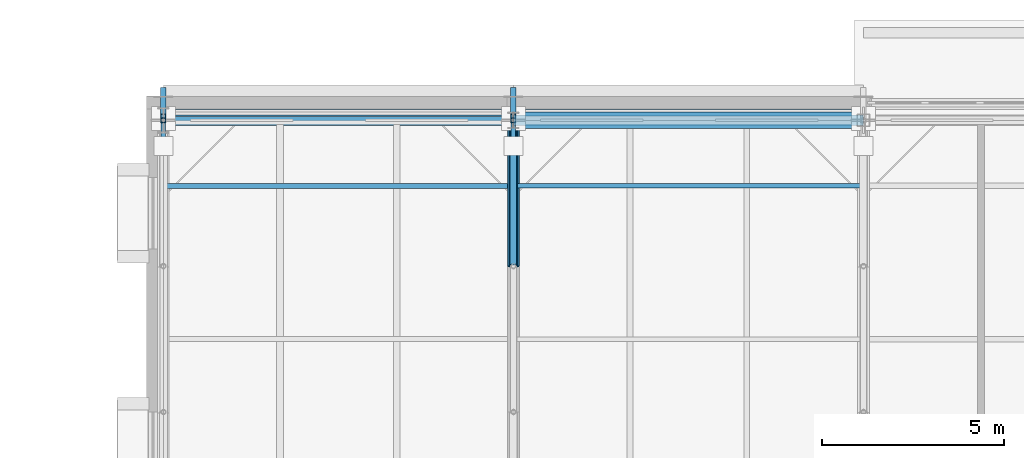
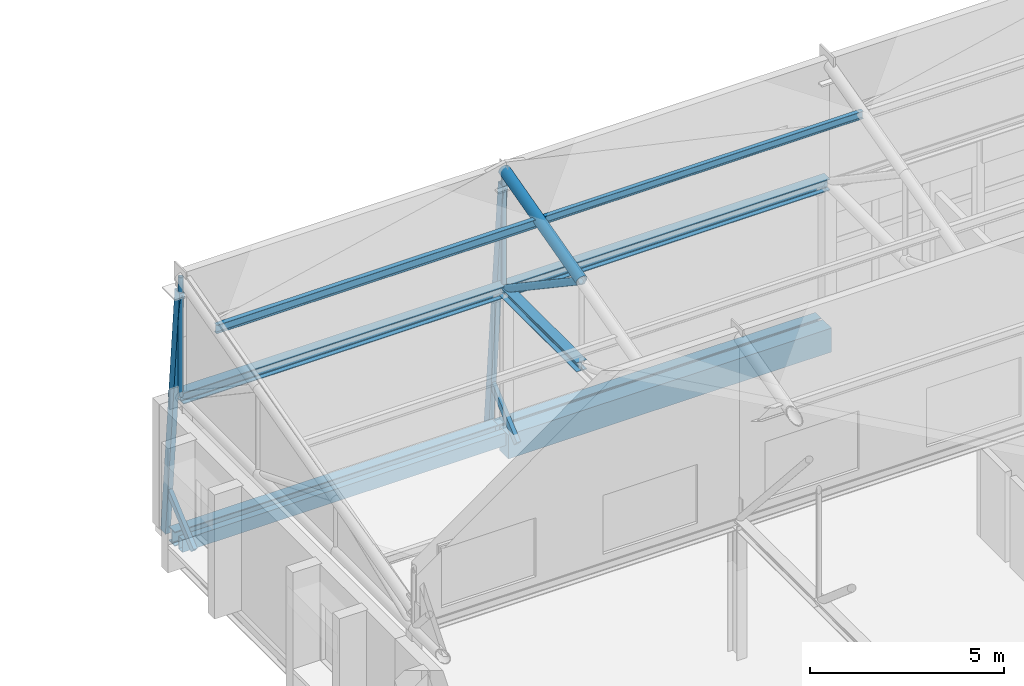
# One storey, part 35 of 89: 11 members, 6 beams.
"""IFC4 building model written with IfcOpenShell, lengths in metres."""

from ifc_helpers import new_model, si_unit, direction, frame, origin, origin_2d, place, context, subcontext, project, spatial, rectangle, hollow_rectangle, hollow_circle, i_section, extrude, material, material_profile, profile_set, type_object, element, save


model = new_model("IFC4")

# Units and contexts
model_context = context("Model", 3, precision=1e-05, world=origin(), true_north=direction((0.0, 1.0)))
body_context = subcontext(model_context, "Body", "Model", "MODEL_VIEW")
ifc_project = project(units=[si_unit("LENGTHUNIT", "METRE"), si_unit("AREAUNIT", "SQUARE_METRE"), si_unit("VOLUMEUNIT", "CUBIC_METRE"), si_unit("PLANEANGLEUNIT", "RADIAN"), si_unit("MASSUNIT", "GRAM", prefix="KILO")], contexts=[model_context])

# Site, building, storey
site_placement = place(None, origin())
site = spatial("IfcSite", under=ifc_project, at=site_placement, CompositionType="ELEMENT")
building_placement = place(site_placement, origin())
building = spatial("IfcBuilding", under=site, at=building_placement, Name="Zereglee Splitstone Museum", CompositionType="ELEMENT")
storey_placement = place(building_placement, frame((0.0, 0.0, 21.300048828125)))
storey = spatial("IfcBuildingStorey", under=building, at=storey_placement, Name="L04", CompositionType="ELEMENT", Elevation=21.300048828125)

# Members
ifc_material_1 = material(Name="Steel S355J2H", Category="steel")
ifc_material_profile_1 = material_profile(ifc_material_1, hollow_circle(Radius=0.109619140625, WallThickness=0.010009765625, at=origin_2d()), Name="CHS 219.1x10")
ifc_profile_set_1 = profile_set([ifc_material_profile_1], Name="Steel S355J2H")
member_type_1 = type_object("IfcMemberType", Name="TB-03", PredefinedType="BRACE", material=ifc_profile_set_1)
member_1_placement = place(storey_placement, frame((87.60009765625, 50.39990234375, 4.199951171875), z_axis=(0.0, -0.830448263685, 0.557095755991), x_axis=(1.0, 0.0, 0.0)))
element("IfcMember", 1, at=member_1_placement, inside=storey, type_object=member_type_1, Name="Roof Truss ST-02 Diagonal 3.3", PredefinedType="BRACE", context=body_context, shape_type="SweptSolid", body=[
    extrude(hollow_circle(Radius=0.109619140625, WallThickness=0.010009765625, at=origin_2d()), origin(), (0.0, 0.0, 1.0), 4.816650390625),
])
ifc_material_profile_2 = material_profile(ifc_material_1, hollow_circle(Radius=0.161865234375, WallThickness=0.01611328125, at=origin_2d()), Name="CHS 323.9x16")
ifc_profile_set_2 = profile_set([ifc_material_profile_2], Name="Steel S355J2H")
member_type_2 = type_object("IfcMemberType", Name="TC-05", PredefinedType="CHORD", material=ifc_profile_set_2)
member_2_placement = place(storey_placement, frame((87.60009765625, 46.39990234375, 6.88330078125), z_axis=(0.0, 0.966235918422, 0.257658979955), x_axis=(-1.0, 0.0, 0.0)))
element("IfcMember", 2, at=member_2_placement, inside=storey, type_object=member_type_2, Name="Roof Truss ST-02 Top Chord 3.3", PredefinedType="CHORD", context=body_context, shape_type="SweptSolid", body=[
    extrude(hollow_circle(Radius=0.161865234375, WallThickness=0.01611328125, at=origin_2d()), origin(), (0.0, 0.0, 1.0), 4.139892578125),
])
ifc_material_2 = material(Name="Steel S355J2", Category="steel")
ifc_material_profile_3 = material_profile(ifc_material_2, i_section(OverallWidth=0.300048828125, OverallDepth=0.300048828125, WebThickness=0.010986328125, FlangeThickness=0.01904296875, FilletRadius=0.027099609375, at=origin_2d()), Name="HE 300 B")
ifc_profile_set_3 = profile_set([ifc_material_profile_3], Name="Steel S355J2")
member_type_3 = type_object("IfcMemberType", Name="TC-07", PredefinedType="CHORD", material=ifc_profile_set_3)
member_3_placement = place(storey_placement, frame((87.60009765625, 46.39990234375, 4.199951171875), z_axis=(0.0, 1.0, 0.0), x_axis=(-1.0, 0.0, 0.0)))
element("IfcMember", 3, at=member_3_placement, inside=storey, type_object=member_type_3, Name="Roof Truss ST-02 Bottom Chord 3.3", PredefinedType="CHORD", context=body_context, shape_type="SweptSolid", body=[
    extrude(i_section(OverallWidth=0.300048828125, OverallDepth=0.300048828125, WebThickness=0.010986328125, FlangeThickness=0.01904296875, FilletRadius=0.027099609375, at=origin_2d()), origin(), (0.0, 0.0, 1.0), 4.0),
])

# Beams
ifc_material_profile_4 = material_profile(ifc_material_2, i_section(OverallWidth=0.300048828125, OverallDepth=0.360107421875, WebThickness=0.012451171875, FlangeThickness=0.0224609375, FilletRadius=0.027099609375, at=origin_2d()), Name="HE 360 B")
ifc_profile_set_4 = profile_set([ifc_material_profile_4], Name="Steel S355J2")
beam_type_1 = type_object("IfcBeamType", Name="BG-14", PredefinedType="BEAM", material=ifc_profile_set_4)
beam_1_placement = place(storey_placement, frame((78.0, 50.39990234375, 4.199951171875), z_axis=(1.0, 0.0, 0.0), x_axis=(0.0, 1.0, 0.0)))
element("IfcBeam", 4, at=beam_1_placement, inside=storey, type_object=beam_type_1, Name="Sawtooth Monitor Sill Beam B1-S3", PredefinedType="BEAM", context=body_context, shape_type="SweptSolid", body=[
    extrude(i_section(OverallWidth=0.300048828125, OverallDepth=0.360107421875, WebThickness=0.012451171875, FlangeThickness=0.0224609375, FilletRadius=0.027099609375, at=origin_2d()), origin(), (0.0, 0.0, 1.0), 9.60009765625),
])
beam_2_placement = place(storey_placement, frame((87.60009765625, 50.39990234375, 4.199951171875), z_axis=(1.0, 0.0, 0.0), x_axis=(0.0, 1.0, 0.0)))
element("IfcBeam", 5, at=beam_2_placement, inside=storey, type_object=beam_type_1, Name="Sawtooth Monitor Sill Beam B2-S3", PredefinedType="BEAM", context=body_context, shape_type="SweptSolid", body=[
    extrude(i_section(OverallWidth=0.300048828125, OverallDepth=0.360107421875, WebThickness=0.012451171875, FlangeThickness=0.0224609375, FilletRadius=0.027099609375, at=origin_2d()), origin(), (0.0, 0.0, 1.0), 9.599853515625),
])

# Members
ifc_material_profile_5 = material_profile(ifc_material_1, hollow_circle(Radius=0.06982421875, WallThickness=0.008056640625, at=origin_2d()), Name="CHS 139.7x8")
ifc_profile_set_5 = profile_set([ifc_material_profile_5], Name="Steel S355J2H")
member_type_4 = type_object("IfcMemberType", Name="TP-03", PredefinedType="POST", material=ifc_profile_set_5)
for number, where, z_axis, x_axis, name in (
    (6, (78.0, 50.39990234375, 4.199951171875), (0.0, 0.0, 1.0), (1.0, 0.0, 0.0), "Roof Truss ST-01 Post 3.3"),
    (7, (87.60009765625, 50.39990234375, 4.199951171875), (0.0, 0.0, 1.0), (1.0, 0.0, 0.0), "Roof Truss ST-02 Post 3.3"),
):
    element("IfcMember", number, at=place(storey_placement, frame(where, z_axis=z_axis, x_axis=x_axis)), inside=storey, type_object=member_type_4, Name=name, PredefinedType="POST", context=body_context, shape_type="SweptSolid", body=[
        extrude(hollow_circle(Radius=0.06982421875, WallThickness=0.008056640625, at=origin_2d()), origin(), (0.0, 0.0, 1.0), 3.75),
    ])
ifc_material_profile_6 = material_profile(ifc_material_2, i_section(OverallWidth=0.1201171875, OverallDepth=0.239990234375, WebThickness=0.006103515625, FlangeThickness=0.009765625, FilletRadius=0.014892578125, at=origin_2d()), Name="IPE 240")
ifc_profile_set_6 = profile_set([ifc_material_profile_6], Name="Steel S355J2")
member_type_5 = type_object("IfcMemberType", Name="PR-03", PredefinedType="PURLIN", material=ifc_profile_set_6)
member_4_placement = place(storey_placement, frame((87.60009765625, 48.60009765625, 7.424072265625), z_axis=(1.0, 0.0, 0.0), x_axis=(0.0, 1.0, 0.0)))
element("IfcMember", 8, at=member_4_placement, inside=storey, type_object=member_type_5, Name="Sawtooth Roof Purlin B2-S3-3", PredefinedType="PURLIN", context=body_context, shape_type="SweptSolid", body=[
    extrude(i_section(OverallWidth=0.1201171875, OverallDepth=0.239990234375, WebThickness=0.006103515625, FlangeThickness=0.009765625, FilletRadius=0.014892578125, at=origin_2d()), origin(), (0.0, 0.0, 1.0), 9.599853515625),
])
ifc_material_profile_7 = material_profile(ifc_material_2, i_section(OverallWidth=0.135009765625, OverallDepth=0.27001953125, WebThickness=0.006591796875, FlangeThickness=0.01025390625, FilletRadius=0.014892578125, at=origin_2d()), Name="IPE 270")
ifc_profile_set_7 = profile_set([ifc_material_profile_7], Name="Steel S355J2")
member_type_6 = type_object("IfcMemberType", Name="PR-02", PredefinedType="PURLIN", material=ifc_profile_set_7)
member_5_placement = place(storey_placement, frame((78.0, 48.60009765625, 7.40869140625), z_axis=(1.0, 0.0, 0.0), x_axis=(0.0, 1.0, 0.0)))
element("IfcMember", 9, at=member_5_placement, inside=storey, type_object=member_type_6, Name="Sawtooth Roof Purlin B1-S3-3", PredefinedType="PURLIN", context=body_context, shape_type="SweptSolid", body=[
    extrude(i_section(OverallWidth=0.135009765625, OverallDepth=0.27001953125, WebThickness=0.006591796875, FlangeThickness=0.01025390625, FilletRadius=0.014892578125, at=origin_2d()), origin(), (0.0, 0.0, 1.0), 9.60009765625),
])

# Beams
ifc_material_profile_8 = material_profile(ifc_material_2, i_section(OverallWidth=0.300048828125, OverallDepth=0.449951171875, WebThickness=0.013916015625, FlangeThickness=0.02587890625, FilletRadius=0.027099609375, at=origin_2d()), Name="HE 450 B")
ifc_profile_set_8 = profile_set([ifc_material_profile_8], Name="Steel S355J2")
beam_type_2 = type_object("IfcBeamType", Name="SP-02", PredefinedType="SPANDREL", material=ifc_profile_set_8)
beam_3_placement = place(storey_placement, frame((78.0, 50.85009765625, -0.485107421875), z_axis=(1.0, 0.0, 0.0), x_axis=(0.0, 1.0, 0.0)))
element("IfcBeam", 10, at=beam_3_placement, inside=storey, type_object=beam_type_2, Name="Hovering Soffit Spandrel L04 (78.0-87.6)", PredefinedType="SPANDREL", context=body_context, shape_type="SweptSolid", body=[
    extrude(i_section(OverallWidth=0.300048828125, OverallDepth=0.449951171875, WebThickness=0.013916015625, FlangeThickness=0.02587890625, FilletRadius=0.027099609375, at=origin_2d()), origin(), (0.0, 0.0, 1.0), 9.60009765625),
])
beam_4_placement = place(storey_placement, frame((87.60009765625, 50.85009765625, -0.485107421875), z_axis=(1.0, 0.0, 0.0), x_axis=(0.0, 1.0, 0.0)))
element("IfcBeam", 11, at=beam_4_placement, inside=storey, type_object=beam_type_2, Name="Hovering Soffit Spandrel L04 (87.6-97.2)", PredefinedType="SPANDREL", context=body_context, shape_type="SweptSolid", body=[
    extrude(i_section(OverallWidth=0.300048828125, OverallDepth=0.449951171875, WebThickness=0.013916015625, FlangeThickness=0.02587890625, FilletRadius=0.027099609375, at=origin_2d()), origin(), (0.0, 0.0, 1.0), 9.599853515625),
])
ifc_material_3 = material(Name="Concrete C40/50", Category="concrete")
ifc_material_profile_9 = material_profile(ifc_material_3, rectangle(XDim=0.449951171875, YDim=0.75, at=origin_2d()), Name="RC 450x750")
ifc_profile_set_9 = profile_set([ifc_material_profile_9], Name="Concrete C40/50")
beam_type_3 = type_object("IfcBeamType", Name="SP-01", PredefinedType="SPANDREL", material=ifc_profile_set_9)
beam_5_placement = place(storey_placement, frame((87.60009765625, 50.39990234375, -0.635009765625), z_axis=(1.0, 0.0, 0.0), x_axis=(0.0, 1.0, 0.0)))
element("IfcBeam", 12, at=beam_5_placement, inside=storey, type_object=beam_type_3, Name="Primary Girder L04 F (87.6-97.2)", PredefinedType="SPANDREL", context=body_context, shape_type="SweptSolid", body=[
    extrude(rectangle(XDim=0.449951171875, YDim=0.75, at=origin_2d()), origin(), (0.0, 0.0, 1.0), 9.599853515625),
])
ifc_material_profile_10 = material_profile(ifc_material_1, hollow_rectangle(XDim=0.199951171875, YDim=0.39990234375, WallThickness=0.01611328125, at=origin_2d()), Name="RHS 400x200x16")
ifc_profile_set_10 = profile_set([ifc_material_profile_10], Name="Steel S355J2H")
beam_type_4 = type_object("IfcBeamType", Name="SP-04", PredefinedType="SPANDREL", material=ifc_profile_set_10)
beam_6_placement = place(storey_placement, frame((78.0, 50.39990234375, -0.4599609375), z_axis=(1.0, 0.0, 0.0), x_axis=(0.0, 1.0, 0.0)))
element("IfcBeam", 13, at=beam_6_placement, inside=storey, type_object=beam_type_4, Name="Primary Girder L04 F (78.0-87.6)", PredefinedType="SPANDREL", context=body_context, shape_type="SweptSolid", body=[
    extrude(hollow_rectangle(XDim=0.199951171875, YDim=0.39990234375, WallThickness=0.01611328125, at=origin_2d()), origin(), (0.0, 0.0, 1.0), 9.60009765625),
])

# Members
ifc_material_profile_11 = material_profile(ifc_material_1, hollow_rectangle(XDim=0.14990234375, YDim=0.25, WallThickness=0.010009765625, at=origin_2d()), Name="RHS 250x150x10")
ifc_profile_set_11 = profile_set([ifc_material_profile_11], Name="Steel S355J2H")
member_type_7 = type_object("IfcMemberType", Name="FS-R2", PredefinedType="STRUT", material=ifc_profile_set_11)
for number, where, z_axis, x_axis, name in (
    (14, (78.0, 51.1767578125, -0.510009765625), (0.0, -0.090892411904, 0.995860717901), (1.0, 0.0, 0.0), "Split-Rock Continuous Facet Strut FH-V2NW L04-01"),
    (15, (87.60009765625, 51.1767578125, -0.510009765625), (0.0, -0.090892411904, 0.995860717901), (1.0, 0.0, 0.0), "Split-Rock Continuous Facet Strut FH-V2NW L04-02"),
):
    element("IfcMember", number, at=place(storey_placement, frame(where, z_axis=z_axis, x_axis=x_axis)), inside=storey, type_object=member_type_7, Name=name, PredefinedType="STRUT", context=body_context, shape_type="SweptSolid", body=[
        extrude(hollow_rectangle(XDim=0.14990234375, YDim=0.25, WallThickness=0.010009765625, at=origin_2d()), origin(), (0.0, 0.0, 1.0), 8.023193359375),
    ])
ifc_material_profile_12 = material_profile(ifc_material_1, hollow_rectangle(XDim=0.1201171875, YDim=0.199951171875, WallThickness=0.008056640625, at=origin_2d()), Name="RHS 200x120x8")
ifc_profile_set_12 = profile_set([ifc_material_profile_12], Name="Steel S355J2H")
member_type_8 = type_object("IfcMemberType", Name="FS-T1", PredefinedType="STRUT", material=ifc_profile_set_12)
for number, where, z_axis, x_axis, name in (
    (16, (78.0, 49.699951171875, -0.219970703125), (0.0, 0.757166062891, 0.65322243777), (-1.0, 0.0, 0.0), "Facet Tie-Back Strut FH-V2NW L04-01"),
    (17, (87.60009765625, 49.699951171875, -0.219970703125), (0.0, 0.757166062891, 0.65322243777), (-1.0, 0.0, 0.0), "Facet Tie-Back Strut FH-V2NW L04-02"),
):
    element("IfcMember", number, at=place(storey_placement, frame(where, z_axis=z_axis, x_axis=x_axis)), inside=storey, type_object=member_type_8, Name=name, PredefinedType="STRUT", context=body_context, shape_type="SweptSolid", body=[
        extrude(hollow_rectangle(XDim=0.1201171875, YDim=0.199951171875, WallThickness=0.008056640625, at=origin_2d()), origin(), (0.0, 0.0, 1.0), 1.775634765625),
    ])

save(model, "model.ifc")
